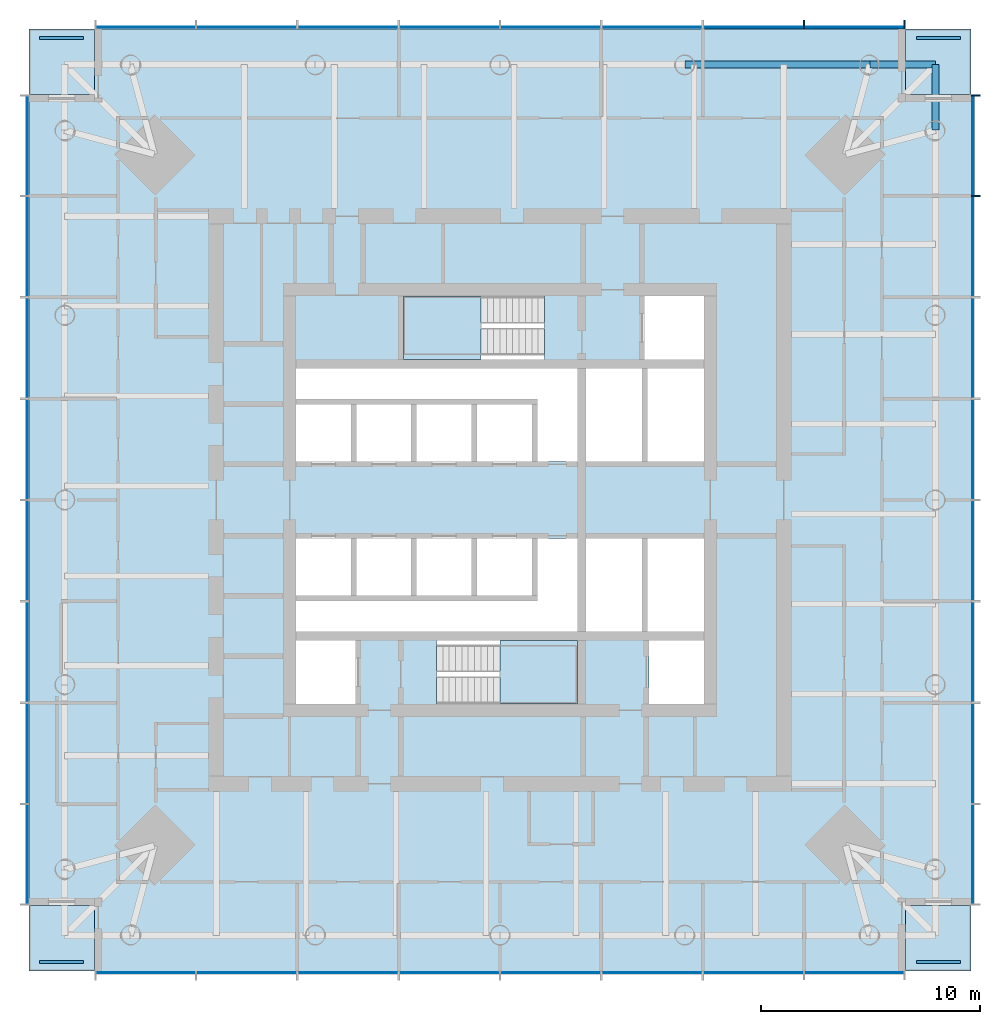
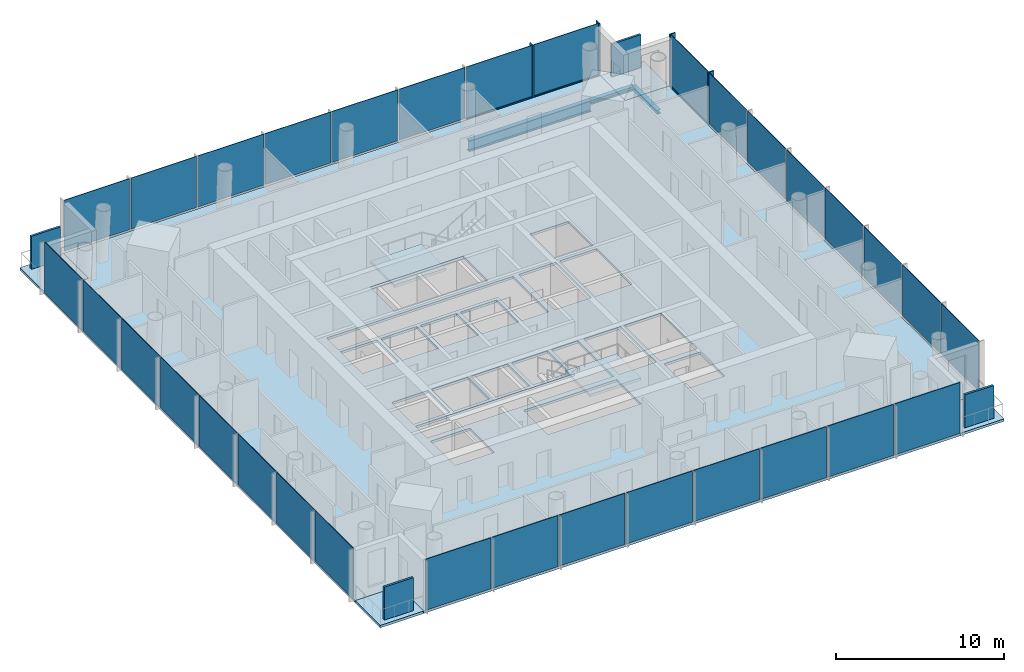
# One storey, part 3 of 9: 36 plates, 7 members, 7 slabs, 3 beams, 6 elements without a shape of their own.
"""IFC4 building model written with IfcOpenShell, lengths in metres."""

from ifc_helpers import new_model, si_unit, direction, frame, origin, origin_2d, place, context, subcontext, project, spatial, polyline, rectangle, i_section, outline, extrude, material, layer, layer_set, material_profile, profile_set, type_object, element, aggregate, save


model = new_model("IFC4")

# Units and contexts
model_context = context("Model", 3, precision=1e-05, world=origin(), true_north=direction((0.0, 1.0)))
body_context = subcontext(model_context, "Body", "Model", "MODEL_VIEW")
ifc_project = project(units=[si_unit("LENGTHUNIT", "METRE"), si_unit("AREAUNIT", "SQUARE_METRE"), si_unit("VOLUMEUNIT", "CUBIC_METRE"), si_unit("PLANEANGLEUNIT", "RADIAN"), si_unit("MASSUNIT", "GRAM", prefix="KILO")], contexts=[model_context])

# Site, building, storey
site_placement = place(None, origin())
site = spatial("IfcSite", under=ifc_project, at=site_placement, CompositionType="ELEMENT")
building_placement = place(site_placement, origin())
building = spatial("IfcBuilding", under=site, at=building_placement, Name="Ostroluk Exchange", CompositionType="ELEMENT")
storey_placement = place(building_placement, frame((0.0, 0.0, 150.199951171875)))
storey = spatial("IfcBuildingStorey", under=building, at=storey_placement, Name="L38", CompositionType="ELEMENT", Elevation=150.199951171875)

# Beams
ifc_material_1 = material(Name="Steel S355", Category="steel")
ifc_material_profile_1 = material_profile(ifc_material_1, i_section(OverallWidth=0.300048828125, OverallDepth=0.300048828125, WebThickness=0.010986328125, FlangeThickness=0.01904296875, FilletRadius=0.027099609375, at=origin_2d()), Name="HEB 300")
ifc_profile_set_1 = profile_set([ifc_material_profile_1], Name="Steel S355")
beam_type_1 = type_object("IfcBeamType", Name="Balcony beam HEB 300", PredefinedType="BEAM", material=ifc_profile_set_1)
for number, where, z_axis, x_axis, name in (
    (1, (64.871337890625, 62.871337890625, -0.329833984375), (0.0, 1.0, 0.0), (-1.0, 0.0, 0.0), "T1 east balcony beam a"),
    (2, (61.871337890625, 65.871337890625, -0.329833984375), (1.0, 0.0, 0.0), (0.0, 1.0, 0.0), "T1 east balcony beam b"),
):
    element("IfcBeam", number, at=place(storey_placement, frame(where, z_axis=z_axis, x_axis=x_axis)), inside=storey, type_object=beam_type_1, Name=name, PredefinedType="BEAM", context=body_context, shape_type="SweptSolid", body=[
        extrude(i_section(OverallWidth=0.300048828125, OverallDepth=0.300048828125, WebThickness=0.010986328125, FlangeThickness=0.01904296875, FilletRadius=0.027099609375, at=origin_2d()), origin(), (0.0, 0.0, 1.0), 3.0),
    ])
ifc_material_2 = material(Name="Steel S355", Category="steel")
ifc_material_profile_2 = material_profile(ifc_material_2, i_section(OverallWidth=0.300048828125, OverallDepth=0.800048828125, WebThickness=0.017578125, FlangeThickness=0.032958984375, FilletRadius=0.030029296875, at=origin_2d()), Name="HEB 800")
ifc_profile_set_2 = profile_set([ifc_material_profile_2], Name="Steel S355")
beam_type_2 = type_object("IfcBeamType", Name="Moment-connected edge beam HEB 800", PredefinedType="SPANDREL", material=ifc_profile_set_2)
beam_placement = place(storey_placement, frame((61.871337890625, 65.871337890625, -0.579833984375), z_axis=(-1.0, 0.0, 0.0), x_axis=(0.0, -1.0, 0.0)))
element("IfcBeam", 3, at=beam_placement, inside=storey, type_object=beam_type_2, Name="T1 north edge beam 1", PredefinedType="SPANDREL", context=body_context, shape_type="SweptSolid", body=[
    extrude(i_section(OverallWidth=0.300048828125, OverallDepth=0.800048828125, WebThickness=0.017578125, FlangeThickness=0.032958984375, FilletRadius=0.030029296875, at=origin_2d()), origin(), (0.0, 0.0, 1.0), 8.435546875),
])

# Curtain wall, member
ifc_material_3 = material(Name="Laminated clear glass", Category="glass")
curtain_wall_type = type_object("IfcCurtainWallType", Name="Office tower facade", PredefinedType="USERDEFINED", material=ifc_material_3)
curtain_wall_1_placement = place(storey_placement, origin())
curtain_wall_1 = element("IfcCurtainWall", 4, at=curtain_wall_1_placement, inside=storey, type_object=curtain_wall_type, Name="Office tower east facade L38", ObjectType="UNITISED CURTAIN WALL", PredefinedType="USERDEFINED")
ifc_material_4 = material(Name="Aluminium mullion", Category="aluminium")
ifc_material_profile_3 = material_profile(ifc_material_4, rectangle(XDim=0.14990234375, YDim=0.080078125, at=origin_2d()), Name="Sill transom 80 x 150")
ifc_profile_set_3 = profile_set([ifc_material_profile_3], Name="Aluminium mullion")
member_type_1 = type_object("IfcMemberType", Name="Sill transom 80 x 150", PredefinedType="USERDEFINED", material=ifc_profile_set_3)
member_1_placement = place(storey_placement, frame((66.574951171875, 59.9150390625, 0.0400390625), z_axis=(0.0, 1.0, 0.0), x_axis=(-1.0, 0.0, 0.0)))
member_1 = element("IfcMember", 5, at=member_1_placement, type_object=member_type_1, Name="CW-O1 transom 8.1", ObjectType="TRANSOM", PredefinedType="USERDEFINED", context=body_context, shape_type="SweptSolid", body=[
    extrude(rectangle(XDim=0.14990234375, YDim=0.080078125, at=origin_2d()), origin(), (0.0, 0.0, 1.0), 4.5048828125),
])

# Curtain wall, members
curtain_wall_2_placement = place(storey_placement, origin())
curtain_wall_2 = element("IfcCurtainWall", 6, at=curtain_wall_2_placement, inside=storey, type_object=curtain_wall_type, Name="Office tower north facade L38", ObjectType="UNITISED CURTAIN WALL", PredefinedType="USERDEFINED")
member_2_placement = place(storey_placement, frame((63.419921875, 67.574951171875, 0.0400390625), z_axis=(-1.0, 0.0, 0.0), x_axis=(0.0, -1.0, 0.0)))
member_2 = element("IfcMember", 7, at=member_2_placement, type_object=member_type_1, Name="CW-O1 transom 1.1", ObjectType="TRANSOM", PredefinedType="USERDEFINED", context=body_context, shape_type="SweptSolid", body=[
    extrude(rectangle(XDim=0.14990234375, YDim=0.080078125, at=origin_2d()), origin(), (0.0, 0.0, 1.0), 4.5048828125),
])
member_3_placement = place(storey_placement, frame((58.8349609375, 67.574951171875, 0.0400390625), z_axis=(-1.0, 0.0, 0.0), x_axis=(0.0, -1.0, 0.0)))
member_3 = element("IfcMember", 8, at=member_3_placement, type_object=member_type_1, Name="CW-O1 transom 2.1", ObjectType="TRANSOM", PredefinedType="USERDEFINED", context=body_context, shape_type="SweptSolid", body=[
    extrude(rectangle(XDim=0.14990234375, YDim=0.080078125, at=origin_2d()), origin(), (0.0, 0.0, 1.0), 4.544921875),
])

# Member
ifc_material_5 = material(Name="Aluminium mullion with limestone facing", Category="masonry")
ifc_material_profile_4 = material_profile(ifc_material_5, rectangle(XDim=0.39990234375, YDim=0.080078125, at=origin_2d()), Name="Tracery mullion 80 x 400")
ifc_profile_set_4 = profile_set([ifc_material_profile_4], Name="Aluminium mullion with limestone facing")
member_type_2 = type_object("IfcMemberType", Name="Tracery mullion 80 x 400", PredefinedType="MULLION", material=ifc_profile_set_4)
member_4_placement = place(storey_placement, frame((66.699951171875, 59.875, 0.0), z_axis=(0.0, 0.0, 1.0), x_axis=(-1.0, 0.0, 0.0)))
member_4 = element("IfcMember", 9, at=member_4_placement, type_object=member_type_2, Name="CW-O1 mullion 8", PredefinedType="MULLION", context=body_context, shape_type="SweptSolid", body=[
    extrude(rectangle(XDim=0.39990234375, YDim=0.080078125, at=origin_2d()), origin(), (0.0, 0.0, 1.0), 3.800048828125),
])

member_5_placement = place(storey_placement, frame((66.699951171875, 64.4599609375, 0.0), z_axis=(0.0, 0.0, 1.0), x_axis=(-1.0, 0.0, 0.0)))
member_5 = element("IfcMember", 10, at=member_5_placement, type_object=member_type_2, Name="CW-O1 mullion 9", PredefinedType="MULLION", context=body_context, shape_type="SweptSolid", body=[
    extrude(rectangle(XDim=0.39990234375, YDim=0.080078125, at=origin_2d()), origin(), (0.0, 0.0, 1.0), 3.800048828125),
])

member_6_placement = place(storey_placement, frame((63.4599609375, 67.699951171875, 0.0), z_axis=(0.0, 0.0, 1.0), x_axis=(0.0, -1.0, 0.0)))
member_6 = element("IfcMember", 11, at=member_6_placement, type_object=member_type_2, Name="CW-O1 mullion 1", PredefinedType="MULLION", context=body_context, shape_type="SweptSolid", body=[
    extrude(rectangle(XDim=0.39990234375, YDim=0.080078125, at=origin_2d()), origin(), (0.0, 0.0, 1.0), 3.800048828125),
])

member_7_placement = place(storey_placement, frame((58.875, 67.699951171875, 0.0), z_axis=(0.0, 0.0, 1.0), x_axis=(0.0, -1.0, 0.0)))
member_7 = element("IfcMember", 12, at=member_7_placement, type_object=member_type_2, Name="CW-O1 mullion 2", PredefinedType="MULLION", context=body_context, shape_type="SweptSolid", body=[
    extrude(rectangle(XDim=0.39990234375, YDim=0.080078125, at=origin_2d()), origin(), (0.0, 0.0, 1.0), 3.800048828125),
])

# Slabs
ifc_material_6 = material(Name="Concrete C35/45", Category="concrete")
ifc_layer_1 = layer(ifc_material_6, 0.179931640625)
ifc_layer_set_1 = layer_set([ifc_layer_1], Name="Balcony slab 180")
slab_type_1 = type_object("IfcSlabType", Name="Balcony slab 180", PredefinedType="USERDEFINED", material=ifc_layer_set_1)
slab_1_placement = place(storey_placement, frame((0.0, 0.0, -0.179931640625)))
element("IfcSlab", 13, at=slab_1_placement, inside=storey, type_object=slab_type_1, Name="Office tower SE corner balcony L38", ObjectType="BALCONY", PredefinedType="USERDEFINED", context=body_context, shape_type="SweptSolid", body=[
    extrude(outline(polyline([(63.5, 24.5), (66.5, 24.5), (66.5, 27.5), (63.5, 27.5), (63.5, 24.5)])), origin(), (0.0, 0.0, 1.0), 0.179931640625),
])
slab_2_placement = place(storey_placement, frame((0.0, 0.0, -0.179931640625)))
element("IfcSlab", 14, at=slab_2_placement, inside=storey, type_object=slab_type_1, Name="Office tower NE corner balcony L38", ObjectType="BALCONY", PredefinedType="USERDEFINED", context=body_context, shape_type="SweptSolid", body=[
    extrude(outline(polyline([(63.5, 64.5), (66.5, 64.5), (66.5, 67.5), (63.5, 67.5), (63.5, 64.5)])), origin(), (0.0, 0.0, 1.0), 0.179931640625),
])
slab_3_placement = place(storey_placement, frame((0.0, 0.0, -0.179931640625)))
element("IfcSlab", 15, at=slab_3_placement, inside=storey, type_object=slab_type_1, Name="Office tower NW corner balcony L38", ObjectType="BALCONY", PredefinedType="USERDEFINED", context=body_context, shape_type="SweptSolid", body=[
    extrude(outline(polyline([(23.5, 64.5), (26.5, 64.5), (26.5, 67.5), (23.5, 67.5), (23.5, 64.5)])), origin(), (0.0, 0.0, 1.0), 0.179931640625),
])
slab_4_placement = place(storey_placement, frame((0.0, 0.0, -0.179931640625)))
element("IfcSlab", 16, at=slab_4_placement, inside=storey, type_object=slab_type_1, Name="Office tower SW corner balcony L38", ObjectType="BALCONY", PredefinedType="USERDEFINED", context=body_context, shape_type="SweptSolid", body=[
    extrude(outline(polyline([(23.5, 24.5), (26.5, 24.5), (26.5, 27.5), (23.5, 27.5), (23.5, 24.5)])), origin(), (0.0, 0.0, 1.0), 0.179931640625),
])

# Plates
ifc_material_7 = material(Name="Steel S355 trellis with planting", Category="steel")
ifc_layer_2 = layer(ifc_material_7, 0.14990234375)
ifc_layer_set_2 = layer_set([ifc_layer_2], Name="Planted screen 150")
plate_type_1 = type_object("IfcPlateType", Name="Planted screen 150", PredefinedType="USERDEFINED", material=ifc_layer_set_2)
for number, where, z_axis, x_axis, name in (
    (17, (65.0, 24.925048828125, 0.0), (0.0, 0.0, 1.0), (1.0, 0.0, 0.0), "Office tower SE planted screen L38"),
    (18, (65.0, 67.074951171875, 0.0), (0.0, 0.0, 1.0), (1.0, 0.0, 0.0), "Office tower NE planted screen L38"),
    (19, (25.0, 67.074951171875, 0.0), (0.0, 0.0, 1.0), (1.0, 0.0, 0.0), "Office tower NW planted screen L38"),
    (20, (25.0, 24.925048828125, 0.0), (0.0, 0.0, 1.0), (1.0, 0.0, 0.0), "Office tower SW planted screen L38"),
):
    element("IfcPlate", number, at=place(storey_placement, frame(where, z_axis=z_axis, x_axis=x_axis)), inside=storey, type_object=plate_type_1, Name=name, ObjectType="PLANTED SCREEN", PredefinedType="USERDEFINED", context=body_context, shape_type="SweptSolid", body=[
        extrude(rectangle(XDim=2.0, YDim=0.14990234375, at=origin_2d()), origin(), (0.0, 0.0, 1.0), 2.39990234375),
    ])

# Stair, slab
ifc_material_8 = material(Name="Concrete C30/37", Category="concrete")
stair_type = type_object("IfcStairType", Name="Exit stair half turn 3800", PredefinedType="HALF_TURN_STAIR", material=ifc_material_8)
stair_1_placement = place(storey_placement, origin())
stair_1 = element("IfcStair", 21, at=stair_1_placement, inside=storey, type_object=stair_type, Name="Stair T1-S1 L38", PredefinedType="HALF_TURN_STAIR")
ifc_material_9 = material(Name="Concrete C30/37", Category="concrete")
ifc_layer_3 = layer(ifc_material_9, 0.199951171875)
ifc_layer_set_3 = layer_set([ifc_layer_3], Name="Stair landing 200")
slab_type_2 = type_object("IfcSlabType", Name="Stair landing 200", PredefinedType="LANDING", material=ifc_layer_set_3)
slab_5_placement = place(storey_placement, frame((0.0, 0.0, 1.699951171875)))
slab_5 = element("IfcSlab", 22, at=slab_5_placement, type_object=slab_type_2, Name="T1-S1 landing 1", PredefinedType="LANDING", context=body_context, shape_type="SweptSolid", body=[
    extrude(outline(polyline([(45.0, 36.699951171875), (45.0, 39.60009765625), (48.530029296875, 39.60009765625), (48.530029296875, 36.699951171875), (45.0, 36.699951171875)])), origin(), (0.0, 0.0, 1.0), 0.2001953125),
])
aggregate(stair_1, [slab_5])

stair_2_placement = place(storey_placement, origin())
stair_2 = element("IfcStair", 23, at=stair_2_placement, inside=storey, type_object=stair_type, Name="Stair T1-S2 L38", PredefinedType="HALF_TURN_STAIR")
slab_6_placement = place(storey_placement, frame((0.0, 0.0, 1.699951171875)))
slab_6 = element("IfcSlab", 24, at=slab_6_placement, type_object=slab_type_2, Name="T1-S2 landing 1", PredefinedType="LANDING", context=body_context, shape_type="SweptSolid", body=[
    extrude(outline(polyline([(44.1298828125, 52.39990234375), (44.1298828125, 55.300048828125), (40.60009765625, 55.300048828125), (40.60009765625, 52.39990234375), (44.1298828125, 52.39990234375)])), origin(), (0.0, 0.0, 1.0), 0.2001953125),
])
aggregate(stair_2, [slab_6])

# Slab
ifc_material_10 = material(Name="Concrete C35/45", Category="concrete")
ifc_layer_4 = layer(ifc_material_10, 0.179931640625)
ifc_layer_set_4 = layer_set([ifc_layer_4], Name="Tower floor slab 180 composite")
slab_type_3 = type_object("IfcSlabType", Name="Tower floor slab 180 composite", PredefinedType="FLOOR", material=ifc_layer_set_4)
slab_7_placement = place(storey_placement, frame((0.0, 0.0, -0.179931640625)))
element("IfcSlab", 25, at=slab_7_placement, inside=storey, type_object=slab_type_3, Name="Office tower floor slab L38", PredefinedType="FLOOR", context=body_context, shape_type="SweptSolid", body=[
    extrude(outline(polyline([(26.5, 24.5), (63.5, 24.5), (63.5, 27.5), (66.5, 27.5), (66.5, 64.5), (63.5, 64.5), (63.5, 67.5), (26.5, 67.5), (26.5, 64.5), (23.5, 64.5), (23.5, 27.5), (26.5, 27.5), (26.5, 24.5)]), holes=[polyline([(35.699951171875, 36.699951171875), (38.39990234375, 36.699951171875), (38.39990234375, 39.60009765625), (35.699951171875, 39.60009765625), (35.699951171875, 36.699951171875)]), polyline([(42.110107421875, 36.699951171875), (48.530029296875, 36.699951171875), (48.530029296875, 39.60009765625), (42.110107421875, 39.60009765625), (42.110107421875, 36.699951171875)]), polyline([(51.800048828125, 36.699951171875), (54.300048828125, 36.699951171875), (54.300048828125, 39.60009765625), (51.800048828125, 39.60009765625), (51.800048828125, 36.699951171875)]), polyline([(40.60009765625, 52.39990234375), (47.02001953125, 52.39990234375), (47.02001953125, 55.300048828125), (40.60009765625, 55.300048828125), (40.60009765625, 52.39990234375)]), polyline([(51.60009765625, 52.39990234375), (54.300048828125, 52.39990234375), (54.300048828125, 55.300048828125), (51.60009765625, 55.300048828125), (51.60009765625, 52.39990234375)]), polyline([(35.699951171875, 47.75), (38.199951171875, 47.75), (38.199951171875, 50.35009765625), (35.699951171875, 50.35009765625), (35.699951171875, 47.75)]), polyline([(38.449951171875, 47.75), (40.949951171875, 47.75), (40.949951171875, 50.35009765625), (38.449951171875, 50.35009765625), (38.449951171875, 47.75)]), polyline([(41.199951171875, 47.75), (43.699951171875, 47.75), (43.699951171875, 50.35009765625), (41.199951171875, 50.35009765625), (41.199951171875, 47.75)]), polyline([(43.949951171875, 47.75), (46.449951171875, 47.75), (46.449951171875, 50.35009765625), (43.949951171875, 50.35009765625), (43.949951171875, 47.75)]), polyline([(35.699951171875, 41.64990234375), (38.199951171875, 41.64990234375), (38.199951171875, 44.25), (35.699951171875, 44.25), (35.699951171875, 41.64990234375)]), polyline([(38.449951171875, 41.64990234375), (40.949951171875, 41.64990234375), (40.949951171875, 44.25), (38.449951171875, 44.25), (38.449951171875, 41.64990234375)]), polyline([(41.199951171875, 41.64990234375), (43.699951171875, 41.64990234375), (43.699951171875, 44.25), (41.199951171875, 44.25), (41.199951171875, 41.64990234375)]), polyline([(43.949951171875, 41.64990234375), (46.449951171875, 41.64990234375), (46.449951171875, 44.25), (43.949951171875, 44.25), (43.949951171875, 41.64990234375)]), polyline([(48.929931640625, 47.75), (51.489990234375, 47.75), (51.489990234375, 52.0), (48.929931640625, 52.0), (48.929931640625, 47.75)]), polyline([(51.739990234375, 47.75), (54.300048828125, 47.75), (54.300048828125, 52.0), (51.739990234375, 52.0), (51.739990234375, 47.75)]), polyline([(48.929931640625, 40.0), (51.489990234375, 40.0), (51.489990234375, 44.25), (48.929931640625, 44.25), (48.929931640625, 40.0)]), polyline([(51.739990234375, 40.0), (54.300048828125, 40.0), (54.300048828125, 44.25), (51.739990234375, 44.25), (51.739990234375, 40.0)]), polyline([(48.530029296875, 52.0), (48.530029296875, 47.75), (46.699951171875, 47.75), (46.699951171875, 50.60009765625), (35.699951171875, 50.60009765625), (35.699951171875, 52.0), (48.530029296875, 52.0)]), polyline([(35.699951171875, 40.0), (35.699951171875, 41.39990234375), (46.699951171875, 41.39990234375), (46.699951171875, 44.25), (48.530029296875, 44.25), (48.530029296875, 40.0), (35.699951171875, 40.0)])]), origin(), (0.0, 0.0, 1.0), 0.179931640625),
])

# Curtain wall, plates
curtain_wall_3_placement = place(storey_placement, origin())
curtain_wall_3 = element("IfcCurtainWall", 26, at=curtain_wall_3_placement, inside=storey, type_object=curtain_wall_type, Name="Office tower south facade L38", ObjectType="UNITISED CURTAIN WALL", PredefinedType="USERDEFINED")
ifc_material_11 = material(Name="Laminated clear glass", Category="glass")
ifc_layer_5 = layer(ifc_material_11, 0.0439453125)
ifc_layer_set_5 = layer_set([ifc_layer_5], Name="Triple laminated clear glazing 44")
plate_type_2 = type_object("IfcPlateType", Name="Triple laminated clear glazing 44", PredefinedType="CURTAIN_PANEL", material=ifc_layer_set_5)
plate_1_placement = place(storey_placement, frame((28.83251953125, 24.425048828125, 0.080078125), z_axis=(0.0, 0.0, 1.0), x_axis=(1.0, 0.0, 0.0)))
plate_1 = element("IfcPlate", 27, at=plate_1_placement, type_object=plate_type_2, Name="CW-O1 panel 1.1", PredefinedType="CURTAIN_PANEL", context=body_context, shape_type="SweptSolid", body=[
    extrude(rectangle(XDim=4.5048828125, YDim=0.0439453125, at=origin_2d()), origin(), (0.0, 0.0, 1.0), 3.719970703125),
])
plate_2_placement = place(storey_placement, frame((33.4375, 24.425048828125, 0.080078125), z_axis=(0.0, 0.0, 1.0), x_axis=(1.0, 0.0, 0.0)))
plate_2 = element("IfcPlate", 28, at=plate_2_placement, type_object=plate_type_2, Name="CW-O1 panel 2.1", PredefinedType="CURTAIN_PANEL", context=body_context, shape_type="SweptSolid", body=[
    extrude(rectangle(XDim=4.544921875, YDim=0.0439453125, at=origin_2d()), origin(), (0.0, 0.0, 1.0), 3.719970703125),
])
plate_3_placement = place(storey_placement, frame((38.0625, 24.425048828125, 0.080078125), z_axis=(0.0, 0.0, 1.0), x_axis=(1.0, 0.0, 0.0)))
plate_3 = element("IfcPlate", 29, at=plate_3_placement, type_object=plate_type_2, Name="CW-O1 panel 3.1", PredefinedType="CURTAIN_PANEL", context=body_context, shape_type="SweptSolid", body=[
    extrude(rectangle(XDim=4.544921875, YDim=0.0439453125, at=origin_2d()), origin(), (0.0, 0.0, 1.0), 3.719970703125),
])
plate_4_placement = place(storey_placement, frame((42.6875, 24.425048828125, 0.080078125), z_axis=(0.0, 0.0, 1.0), x_axis=(1.0, 0.0, 0.0)))
plate_4 = element("IfcPlate", 30, at=plate_4_placement, type_object=plate_type_2, Name="CW-O1 panel 4.1", PredefinedType="CURTAIN_PANEL", context=body_context, shape_type="SweptSolid", body=[
    extrude(rectangle(XDim=4.544921875, YDim=0.0439453125, at=origin_2d()), origin(), (0.0, 0.0, 1.0), 3.719970703125),
])
plate_5_placement = place(storey_placement, frame((47.3125, 24.425048828125, 0.080078125), z_axis=(0.0, 0.0, 1.0), x_axis=(1.0, 0.0, 0.0)))
plate_5 = element("IfcPlate", 31, at=plate_5_placement, type_object=plate_type_2, Name="CW-O1 panel 5.1", PredefinedType="CURTAIN_PANEL", context=body_context, shape_type="SweptSolid", body=[
    extrude(rectangle(XDim=4.544921875, YDim=0.0439453125, at=origin_2d()), origin(), (0.0, 0.0, 1.0), 3.719970703125),
])
plate_6_placement = place(storey_placement, frame((51.9375, 24.425048828125, 0.080078125), z_axis=(0.0, 0.0, 1.0), x_axis=(1.0, 0.0, 0.0)))
plate_6 = element("IfcPlate", 32, at=plate_6_placement, type_object=plate_type_2, Name="CW-O1 panel 6.1", PredefinedType="CURTAIN_PANEL", context=body_context, shape_type="SweptSolid", body=[
    extrude(rectangle(XDim=4.544921875, YDim=0.0439453125, at=origin_2d()), origin(), (0.0, 0.0, 1.0), 3.719970703125),
])
plate_7_placement = place(storey_placement, frame((56.5625, 24.425048828125, 0.080078125), z_axis=(0.0, 0.0, 1.0), x_axis=(1.0, 0.0, 0.0)))
plate_7 = element("IfcPlate", 33, at=plate_7_placement, type_object=plate_type_2, Name="CW-O1 panel 7.1", PredefinedType="CURTAIN_PANEL", context=body_context, shape_type="SweptSolid", body=[
    extrude(rectangle(XDim=4.544921875, YDim=0.0439453125, at=origin_2d()), origin(), (0.0, 0.0, 1.0), 3.719970703125),
])
plate_8_placement = place(storey_placement, frame((61.16748046875, 24.425048828125, 0.080078125), z_axis=(0.0, 0.0, 1.0), x_axis=(1.0, 0.0, 0.0)))
plate_8 = element("IfcPlate", 34, at=plate_8_placement, type_object=plate_type_2, Name="CW-O1 panel 8.1", PredefinedType="CURTAIN_PANEL", context=body_context, shape_type="SweptSolid", body=[
    extrude(rectangle(XDim=4.5048828125, YDim=0.0439453125, at=origin_2d()), origin(), (0.0, 0.0, 1.0), 3.719970703125),
])
aggregate(curtain_wall_3, [plate_1, plate_2, plate_3, plate_4, plate_5, plate_6, plate_7, plate_8])

# Plate
plate_9_placement = place(storey_placement, frame((66.574951171875, 29.83251953125, 0.080078125), z_axis=(0.0, 0.0, 1.0), x_axis=(0.0, 1.0, 0.0)))
plate_9 = element("IfcPlate", 35, at=plate_9_placement, type_object=plate_type_2, Name="CW-O1 panel 1.1", PredefinedType="CURTAIN_PANEL", context=body_context, shape_type="SweptSolid", body=[
    extrude(rectangle(XDim=4.5048828125, YDim=0.0439453125, at=origin_2d()), origin(), (0.0, 0.0, 1.0), 3.719970703125),
])

plate_10_placement = place(storey_placement, frame((66.574951171875, 34.4375, 0.080078125), z_axis=(0.0, 0.0, 1.0), x_axis=(0.0, 1.0, 0.0)))
plate_10 = element("IfcPlate", 36, at=plate_10_placement, type_object=plate_type_2, Name="CW-O1 panel 2.1", PredefinedType="CURTAIN_PANEL", context=body_context, shape_type="SweptSolid", body=[
    extrude(rectangle(XDim=4.544921875, YDim=0.0439453125, at=origin_2d()), origin(), (0.0, 0.0, 1.0), 3.719970703125),
])

plate_11_placement = place(storey_placement, frame((66.574951171875, 39.0625, 0.080078125), z_axis=(0.0, 0.0, 1.0), x_axis=(0.0, 1.0, 0.0)))
plate_11 = element("IfcPlate", 37, at=plate_11_placement, type_object=plate_type_2, Name="CW-O1 panel 3.1", PredefinedType="CURTAIN_PANEL", context=body_context, shape_type="SweptSolid", body=[
    extrude(rectangle(XDim=4.544921875, YDim=0.0439453125, at=origin_2d()), origin(), (0.0, 0.0, 1.0), 3.719970703125),
])

plate_12_placement = place(storey_placement, frame((66.574951171875, 43.6875, 0.080078125), z_axis=(0.0, 0.0, 1.0), x_axis=(0.0, 1.0, 0.0)))
plate_12 = element("IfcPlate", 38, at=plate_12_placement, type_object=plate_type_2, Name="CW-O1 panel 4.1", PredefinedType="CURTAIN_PANEL", context=body_context, shape_type="SweptSolid", body=[
    extrude(rectangle(XDim=4.544921875, YDim=0.0439453125, at=origin_2d()), origin(), (0.0, 0.0, 1.0), 3.719970703125),
])

plate_13_placement = place(storey_placement, frame((66.574951171875, 48.3125, 0.080078125), z_axis=(0.0, 0.0, 1.0), x_axis=(0.0, 1.0, 0.0)))
plate_13 = element("IfcPlate", 39, at=plate_13_placement, type_object=plate_type_2, Name="CW-O1 panel 5.1", PredefinedType="CURTAIN_PANEL", context=body_context, shape_type="SweptSolid", body=[
    extrude(rectangle(XDim=4.544921875, YDim=0.0439453125, at=origin_2d()), origin(), (0.0, 0.0, 1.0), 3.719970703125),
])

plate_14_placement = place(storey_placement, frame((66.574951171875, 52.9375, 0.080078125), z_axis=(0.0, 0.0, 1.0), x_axis=(0.0, 1.0, 0.0)))
plate_14 = element("IfcPlate", 40, at=plate_14_placement, type_object=plate_type_2, Name="CW-O1 panel 6.1", PredefinedType="CURTAIN_PANEL", context=body_context, shape_type="SweptSolid", body=[
    extrude(rectangle(XDim=4.544921875, YDim=0.0439453125, at=origin_2d()), origin(), (0.0, 0.0, 1.0), 3.719970703125),
])

plate_15_placement = place(storey_placement, frame((66.574951171875, 57.5625, 0.080078125), z_axis=(0.0, 0.0, 1.0), x_axis=(0.0, 1.0, 0.0)))
plate_15 = element("IfcPlate", 41, at=plate_15_placement, type_object=plate_type_2, Name="CW-O1 panel 7.1", PredefinedType="CURTAIN_PANEL", context=body_context, shape_type="SweptSolid", body=[
    extrude(rectangle(XDim=4.544921875, YDim=0.0439453125, at=origin_2d()), origin(), (0.0, 0.0, 1.0), 3.719970703125),
])

plate_16_placement = place(storey_placement, frame((66.574951171875, 62.16748046875, 0.080078125), z_axis=(0.0, 0.0, 1.0), x_axis=(0.0, 1.0, 0.0)))
plate_16 = element("IfcPlate", 42, at=plate_16_placement, type_object=plate_type_2, Name="CW-O1 panel 8.1", PredefinedType="CURTAIN_PANEL", context=body_context, shape_type="SweptSolid", body=[
    extrude(rectangle(XDim=4.5048828125, YDim=0.0439453125, at=origin_2d()), origin(), (0.0, 0.0, 1.0), 3.719970703125),
])

aggregate(curtain_wall_1, [member_4, member_5, plate_9, plate_10, plate_11, plate_12, plate_13, plate_14, plate_15, member_1, plate_16])

plate_17_placement = place(storey_placement, frame((61.16748046875, 67.574951171875, 0.080078125), z_axis=(0.0, 0.0, 1.0), x_axis=(-1.0, 0.0, 0.0)))
plate_17 = element("IfcPlate", 43, at=plate_17_placement, type_object=plate_type_2, Name="CW-O1 panel 1.1", PredefinedType="CURTAIN_PANEL", context=body_context, shape_type="SweptSolid", body=[
    extrude(rectangle(XDim=4.5048828125, YDim=0.0439453125, at=origin_2d()), origin(), (0.0, 0.0, 1.0), 3.719970703125),
])

plate_18_placement = place(storey_placement, frame((56.5625, 67.574951171875, 0.080078125), z_axis=(0.0, 0.0, 1.0), x_axis=(-1.0, 0.0, 0.0)))
plate_18 = element("IfcPlate", 44, at=plate_18_placement, type_object=plate_type_2, Name="CW-O1 panel 2.1", PredefinedType="CURTAIN_PANEL", context=body_context, shape_type="SweptSolid", body=[
    extrude(rectangle(XDim=4.544921875, YDim=0.0439453125, at=origin_2d()), origin(), (0.0, 0.0, 1.0), 3.719970703125),
])

plate_19_placement = place(storey_placement, frame((51.9375, 67.574951171875, 0.080078125), z_axis=(0.0, 0.0, 1.0), x_axis=(-1.0, 0.0, 0.0)))
plate_19 = element("IfcPlate", 45, at=plate_19_placement, type_object=plate_type_2, Name="CW-O1 panel 3.1", PredefinedType="CURTAIN_PANEL", context=body_context, shape_type="SweptSolid", body=[
    extrude(rectangle(XDim=4.544921875, YDim=0.0439453125, at=origin_2d()), origin(), (0.0, 0.0, 1.0), 3.719970703125),
])

plate_20_placement = place(storey_placement, frame((47.3125, 67.574951171875, 0.080078125), z_axis=(0.0, 0.0, 1.0), x_axis=(-1.0, 0.0, 0.0)))
plate_20 = element("IfcPlate", 46, at=plate_20_placement, type_object=plate_type_2, Name="CW-O1 panel 4.1", PredefinedType="CURTAIN_PANEL", context=body_context, shape_type="SweptSolid", body=[
    extrude(rectangle(XDim=4.544921875, YDim=0.0439453125, at=origin_2d()), origin(), (0.0, 0.0, 1.0), 3.719970703125),
])

plate_21_placement = place(storey_placement, frame((42.6875, 67.574951171875, 0.080078125), z_axis=(0.0, 0.0, 1.0), x_axis=(-1.0, 0.0, 0.0)))
plate_21 = element("IfcPlate", 47, at=plate_21_placement, type_object=plate_type_2, Name="CW-O1 panel 5.1", PredefinedType="CURTAIN_PANEL", context=body_context, shape_type="SweptSolid", body=[
    extrude(rectangle(XDim=4.544921875, YDim=0.0439453125, at=origin_2d()), origin(), (0.0, 0.0, 1.0), 3.719970703125),
])

plate_22_placement = place(storey_placement, frame((38.0625, 67.574951171875, 0.080078125), z_axis=(0.0, 0.0, 1.0), x_axis=(-1.0, 0.0, 0.0)))
plate_22 = element("IfcPlate", 48, at=plate_22_placement, type_object=plate_type_2, Name="CW-O1 panel 6.1", PredefinedType="CURTAIN_PANEL", context=body_context, shape_type="SweptSolid", body=[
    extrude(rectangle(XDim=4.544921875, YDim=0.0439453125, at=origin_2d()), origin(), (0.0, 0.0, 1.0), 3.719970703125),
])

plate_23_placement = place(storey_placement, frame((33.4375, 67.574951171875, 0.080078125), z_axis=(0.0, 0.0, 1.0), x_axis=(-1.0, 0.0, 0.0)))
plate_23 = element("IfcPlate", 49, at=plate_23_placement, type_object=plate_type_2, Name="CW-O1 panel 7.1", PredefinedType="CURTAIN_PANEL", context=body_context, shape_type="SweptSolid", body=[
    extrude(rectangle(XDim=4.544921875, YDim=0.0439453125, at=origin_2d()), origin(), (0.0, 0.0, 1.0), 3.719970703125),
])

plate_24_placement = place(storey_placement, frame((28.83251953125, 67.574951171875, 0.080078125), z_axis=(0.0, 0.0, 1.0), x_axis=(-1.0, 0.0, 0.0)))
plate_24 = element("IfcPlate", 50, at=plate_24_placement, type_object=plate_type_2, Name="CW-O1 panel 8.1", PredefinedType="CURTAIN_PANEL", context=body_context, shape_type="SweptSolid", body=[
    extrude(rectangle(XDim=4.5048828125, YDim=0.0439453125, at=origin_2d()), origin(), (0.0, 0.0, 1.0), 3.719970703125),
])

aggregate(curtain_wall_2, [member_6, member_7, member_2, plate_17, member_3, plate_18, plate_19, plate_20, plate_21, plate_22, plate_23, plate_24])

# Curtain wall, plates
curtain_wall_4_placement = place(storey_placement, origin())
curtain_wall_4 = element("IfcCurtainWall", 51, at=curtain_wall_4_placement, inside=storey, type_object=curtain_wall_type, Name="Office tower west facade L38", ObjectType="UNITISED CURTAIN WALL", PredefinedType="USERDEFINED")
plate_25_placement = place(storey_placement, frame((23.425048828125, 62.16748046875, 0.080078125), z_axis=(0.0, 0.0, 1.0), x_axis=(0.0, -1.0, 0.0)))
plate_25 = element("IfcPlate", 52, at=plate_25_placement, type_object=plate_type_2, Name="CW-O1 panel 1.1", PredefinedType="CURTAIN_PANEL", context=body_context, shape_type="SweptSolid", body=[
    extrude(rectangle(XDim=4.5048828125, YDim=0.0439453125, at=origin_2d()), origin(), (0.0, 0.0, 1.0), 3.719970703125),
])
plate_26_placement = place(storey_placement, frame((23.425048828125, 57.5625, 0.080078125), z_axis=(0.0, 0.0, 1.0), x_axis=(0.0, -1.0, 0.0)))
plate_26 = element("IfcPlate", 53, at=plate_26_placement, type_object=plate_type_2, Name="CW-O1 panel 2.1", PredefinedType="CURTAIN_PANEL", context=body_context, shape_type="SweptSolid", body=[
    extrude(rectangle(XDim=4.544921875, YDim=0.0439453125, at=origin_2d()), origin(), (0.0, 0.0, 1.0), 3.719970703125),
])
plate_27_placement = place(storey_placement, frame((23.425048828125, 52.9375, 0.080078125), z_axis=(0.0, 0.0, 1.0), x_axis=(0.0, -1.0, 0.0)))
plate_27 = element("IfcPlate", 54, at=plate_27_placement, type_object=plate_type_2, Name="CW-O1 panel 3.1", PredefinedType="CURTAIN_PANEL", context=body_context, shape_type="SweptSolid", body=[
    extrude(rectangle(XDim=4.544921875, YDim=0.0439453125, at=origin_2d()), origin(), (0.0, 0.0, 1.0), 3.719970703125),
])
plate_28_placement = place(storey_placement, frame((23.425048828125, 48.3125, 0.080078125), z_axis=(0.0, 0.0, 1.0), x_axis=(0.0, -1.0, 0.0)))
plate_28 = element("IfcPlate", 55, at=plate_28_placement, type_object=plate_type_2, Name="CW-O1 panel 4.1", PredefinedType="CURTAIN_PANEL", context=body_context, shape_type="SweptSolid", body=[
    extrude(rectangle(XDim=4.544921875, YDim=0.0439453125, at=origin_2d()), origin(), (0.0, 0.0, 1.0), 3.719970703125),
])
plate_29_placement = place(storey_placement, frame((23.425048828125, 43.6875, 0.080078125), z_axis=(0.0, 0.0, 1.0), x_axis=(0.0, -1.0, 0.0)))
plate_29 = element("IfcPlate", 56, at=plate_29_placement, type_object=plate_type_2, Name="CW-O1 panel 5.1", PredefinedType="CURTAIN_PANEL", context=body_context, shape_type="SweptSolid", body=[
    extrude(rectangle(XDim=4.544921875, YDim=0.0439453125, at=origin_2d()), origin(), (0.0, 0.0, 1.0), 3.719970703125),
])
plate_30_placement = place(storey_placement, frame((23.425048828125, 39.0625, 0.080078125), z_axis=(0.0, 0.0, 1.0), x_axis=(0.0, -1.0, 0.0)))
plate_30 = element("IfcPlate", 57, at=plate_30_placement, type_object=plate_type_2, Name="CW-O1 panel 6.1", PredefinedType="CURTAIN_PANEL", context=body_context, shape_type="SweptSolid", body=[
    extrude(rectangle(XDim=4.544921875, YDim=0.0439453125, at=origin_2d()), origin(), (0.0, 0.0, 1.0), 3.719970703125),
])
plate_31_placement = place(storey_placement, frame((23.425048828125, 34.4375, 0.080078125), z_axis=(0.0, 0.0, 1.0), x_axis=(0.0, -1.0, 0.0)))
plate_31 = element("IfcPlate", 58, at=plate_31_placement, type_object=plate_type_2, Name="CW-O1 panel 7.1", PredefinedType="CURTAIN_PANEL", context=body_context, shape_type="SweptSolid", body=[
    extrude(rectangle(XDim=4.544921875, YDim=0.0439453125, at=origin_2d()), origin(), (0.0, 0.0, 1.0), 3.719970703125),
])
plate_32_placement = place(storey_placement, frame((23.425048828125, 29.83251953125, 0.080078125), z_axis=(0.0, 0.0, 1.0), x_axis=(0.0, -1.0, 0.0)))
plate_32 = element("IfcPlate", 59, at=plate_32_placement, type_object=plate_type_2, Name="CW-O1 panel 8.1", PredefinedType="CURTAIN_PANEL", context=body_context, shape_type="SweptSolid", body=[
    extrude(rectangle(XDim=4.5048828125, YDim=0.0439453125, at=origin_2d()), origin(), (0.0, 0.0, 1.0), 3.719970703125),
])
aggregate(curtain_wall_4, [plate_25, plate_26, plate_27, plate_28, plate_29, plate_30, plate_31, plate_32])

save(model, "model.ifc")
